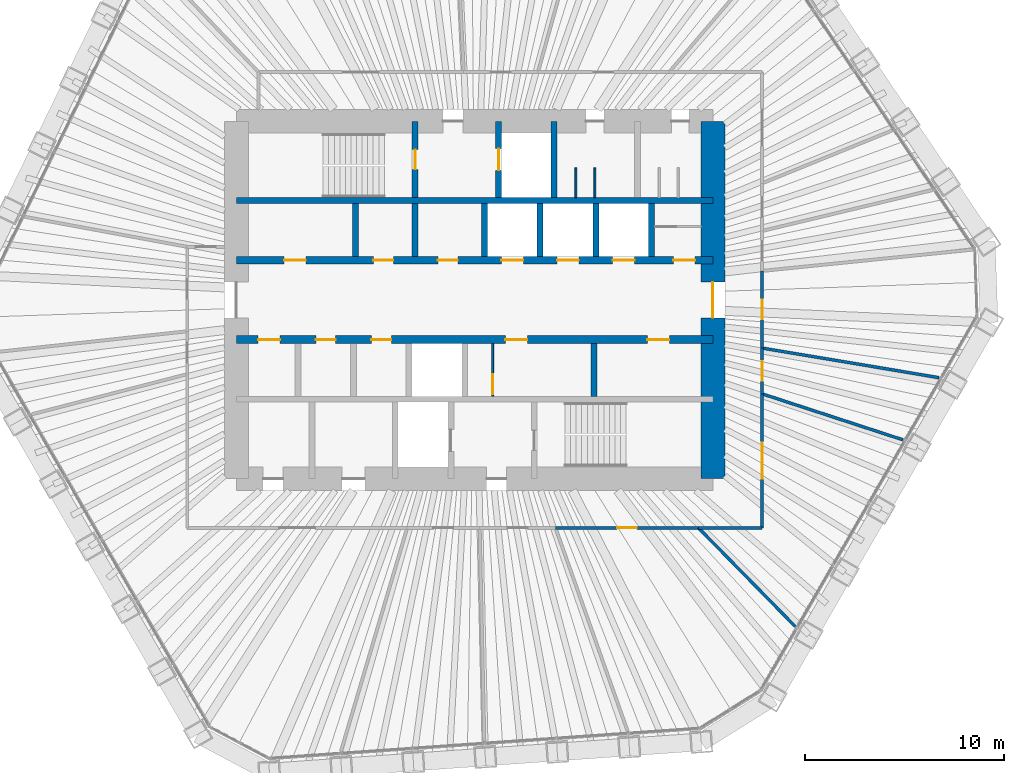
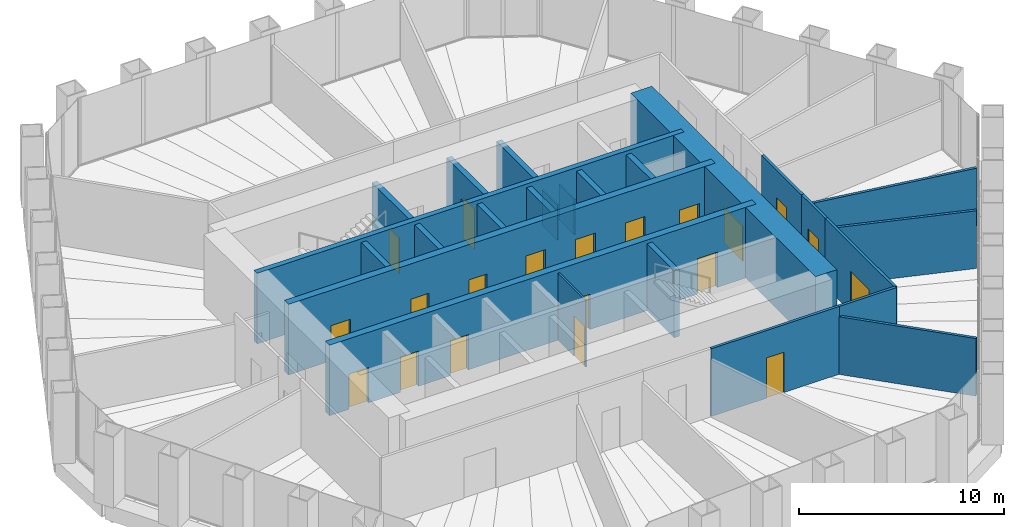
# One storey, part 11 of 13: 25 walls, 20 doors, 20 openings.
"""IFC4 building model written with IfcOpenShell, lengths in metres."""

from ifc_helpers import new_model, si_unit, direction, frame, frame_2d, origin, place, context, subcontext, project, spatial, rectangle, extrude, material, layer, layer_set, type_object, element, fill, save


model = new_model("IFC4")

# Units and contexts
model_context = context("Model", 3, precision=1e-05, world=origin(), true_north=direction((0.0, 1.0)))
body_context = subcontext(model_context, "Body", "Model", "MODEL_VIEW")
ifc_project = project(units=[si_unit("LENGTHUNIT", "METRE"), si_unit("AREAUNIT", "SQUARE_METRE"), si_unit("VOLUMEUNIT", "CUBIC_METRE"), si_unit("PLANEANGLEUNIT", "RADIAN"), si_unit("MASSUNIT", "GRAM", prefix="KILO")], contexts=[model_context])

# Site, building, storey
site_placement = place(None, origin())
site = spatial("IfcSite", under=ifc_project, at=site_placement, CompositionType="ELEMENT")
building_placement = place(site_placement, origin())
building = spatial("IfcBuilding", under=site, at=building_placement, Name="Qingtian Harvest Tower", CompositionType="ELEMENT")
storey_placement = place(building_placement, frame((0.0, 0.0, 205.60009765625)))
storey = spatial("IfcBuildingStorey", under=building, at=storey_placement, Name="L44", CompositionType="ELEMENT", Elevation=205.60009765625)

# Wall
ifc_material_1 = material(Name="Concrete fc' 70 MPa", Category="concrete")
ifc_layer_1 = layer(ifc_material_1, 0.300048828125)
ifc_layer_set_1 = layer_set([ifc_layer_1], Name="Core inner wall RC5 300")
wall_type_1 = type_object("IfcWallType", Name="Core inner wall RC5 300", PredefinedType="SHEAR", material=ifc_layer_set_1)
wall_1_placement = place(storey_placement, frame((-12.0, 5.0, 0.0), z_axis=(0.0, 0.0, 1.0), x_axis=(1.0, 0.0, 0.0)))
element("IfcWall", 1, at=wall_1_placement, inside=storey, type_object=wall_type_1, Name="Core wall IN5 L44", PredefinedType="SHEAR", context=body_context, shape_type="SweptSolid", body=[
    extrude(rectangle(XDim=24.0, YDim=0.300048828125, at=frame_2d((12.0, 0.0))), origin(), (0.0, 0.0, 1.0), 4.199951171875),
])

# Wall, openings, doors
ifc_material_2 = material(Name="Concrete fc' 70 MPa", Category="concrete")
ifc_layer_2 = layer(ifc_material_2, 0.39990234375)
ifc_layer_set_2 = layer_set([ifc_layer_2], Name="Core inner web RC6 400")
wall_type_2 = type_object("IfcWallType", Name="Core inner web RC6 400", PredefinedType="SHEAR", material=ifc_layer_set_2)
wall_2_placement = place(storey_placement, frame((-12.0, 2.0, 0.0), z_axis=(0.0, 0.0, 1.0), x_axis=(1.0, 0.0, 0.0)))
wall_2 = element("IfcWall", 2, at=wall_2_placement, inside=storey, type_object=wall_type_2, Name="Core wall IN2 L44", PredefinedType="SHEAR", context=body_context, shape_type="SweptSolid", body=[
    extrude(rectangle(XDim=24.0, YDim=0.39990234375, at=frame_2d((12.0, 0.0))), origin(), (0.0, 0.0, 1.0), 4.199951171875),
])
opening_1_placement = place(wall_2_placement, frame((2.39990234375, 0.0, 0.0)))
opening_1 = element("IfcOpeningElement", 3, at=opening_1_placement, cuts=wall_2, Name="Opening FD4", PredefinedType="OPENING", context=body_context, shape_type="SweptSolid", body=[
    extrude(rectangle(XDim=1.10009765625, YDim=2.10009765625, at=frame_2d((0.550048828125, 1.050048828125))), frame((0.0, 0.2099609375, 0.0), z_axis=(0.0, -1.0, 0.0), x_axis=(1.0, 0.0, 0.0)), (0.0, 0.0, 1.0), 0.419921875),
])
opening_2_placement = place(wall_2_placement, frame((22.0, 0.0, 0.0)))
opening_2 = element("IfcOpeningElement", 4, at=opening_2_placement, cuts=wall_2, Name="Opening FD4", PredefinedType="OPENING", context=body_context, shape_type="SweptSolid", body=[
    extrude(rectangle(XDim=1.10009765625, YDim=2.10009765625, at=frame_2d((0.550048828125, 1.050048828125))), frame((0.0, 0.2099609375, 0.0), z_axis=(0.0, -1.0, 0.0), x_axis=(1.0, 0.0, 0.0)), (0.0, 0.0, 1.0), 0.419921875),
])
opening_3_placement = place(wall_2_placement, frame((10.14990234375, 0.0, 0.0)))
opening_3 = element("IfcOpeningElement", 5, at=opening_3_placement, cuts=wall_2, Name="Opening FD1", PredefinedType="OPENING", context=body_context, shape_type="SweptSolid", body=[
    extrude(rectangle(XDim=1.0, YDim=2.10009765625, at=frame_2d((0.5, 1.050048828125))), frame((0.0, 0.2099609375, 0.0), z_axis=(0.0, -1.0, 0.0), x_axis=(1.0, 0.0, 0.0)), (0.0, 0.0, 1.0), 0.419921875),
])
opening_4_placement = place(wall_2_placement, frame((6.89990234375, 0.0, 0.0)))
opening_4 = element("IfcOpeningElement", 6, at=opening_4_placement, cuts=wall_2, Name="Opening FD1", PredefinedType="OPENING", context=body_context, shape_type="SweptSolid", body=[
    extrude(rectangle(XDim=1.0, YDim=2.10009765625, at=frame_2d((0.5, 1.050048828125))), frame((0.0, 0.2099609375, 0.0), z_axis=(0.0, -1.0, 0.0), x_axis=(1.0, 0.0, 0.0)), (0.0, 0.0, 1.0), 0.419921875),
])
opening_5_placement = place(wall_2_placement, frame((13.35009765625, 0.0, 0.0)))
opening_5 = element("IfcOpeningElement", 7, at=opening_5_placement, cuts=wall_2, Name="Opening LD1", PredefinedType="OPENING", context=body_context, shape_type="SweptSolid", body=[
    extrude(rectangle(XDim=1.10009765625, YDim=2.39990234375, at=frame_2d((0.550048828125, 1.199951171875))), frame((0.0, 0.2099609375, 0.0), z_axis=(0.0, -1.0, 0.0), x_axis=(1.0, 0.0, 0.0)), (0.0, 0.0, 1.0), 0.419921875),
])
opening_6_placement = place(wall_2_placement, frame((16.14990234375, 0.0, 0.0)))
opening_6 = element("IfcOpeningElement", 8, at=opening_6_placement, cuts=wall_2, Name="Opening LD1", PredefinedType="OPENING", context=body_context, shape_type="SweptSolid", body=[
    extrude(rectangle(XDim=1.10009765625, YDim=2.39990234375, at=frame_2d((0.550048828125, 1.199951171875))), frame((0.0, 0.2099609375, 0.0), z_axis=(0.0, -1.0, 0.0), x_axis=(1.0, 0.0, 0.0)), (0.0, 0.0, 1.0), 0.419921875),
])
opening_7_placement = place(wall_2_placement, frame((18.949951171875, 0.0, 0.0)))
opening_7 = element("IfcOpeningElement", 9, at=opening_7_placement, cuts=wall_2, Name="Opening LD1", PredefinedType="OPENING", context=body_context, shape_type="SweptSolid", body=[
    extrude(rectangle(XDim=1.10009765625, YDim=2.39990234375, at=frame_2d((0.550048828125, 1.199951171875))), frame((0.0, 0.2099609375, 0.0), z_axis=(0.0, -1.0, 0.0), x_axis=(1.0, 0.0, 0.0)), (0.0, 0.0, 1.0), 0.419921875),
])
ifc_material_3 = material(Name="Steel-faced door leaf", Category="steel")
door_type_1 = type_object("IfcDoorType", Name="Fire door FD1 single 1 HR", OperationType="SINGLE_SWING_LEFT", PredefinedType="DOOR", material=ifc_material_3)
door_1_placement = place(opening_3_placement, origin())
door_1 = element("IfcDoor", 10, at=door_1_placement, inside=storey, type_object=door_type_1, Name="STA door L44", OperationType="SINGLE_SWING_LEFT", OverallHeight=2.10009765625, OverallWidth=1.0, PredefinedType="DOOR", context=body_context, shape_type="SweptSolid", body=[
    extrude(rectangle(XDim=1.0, YDim=2.10009765625, at=frame_2d((0.5, 1.050048828125))), frame((0.0, 0.02490234375, 0.0), z_axis=(0.0, -1.0, 0.0), x_axis=(1.0, 0.0, 0.0)), (0.0, 0.0, 1.0), 0.050048828125),
])
fill(opening_3, door_1)
door_2_placement = place(opening_4_placement, origin())
door_2 = element("IfcDoor", 11, at=door_2_placement, inside=storey, type_object=door_type_1, Name="Staff WC door L44", OperationType="SINGLE_SWING_LEFT", OverallHeight=2.10009765625, OverallWidth=1.0, PredefinedType="DOOR", context=body_context, shape_type="SweptSolid", body=[
    extrude(rectangle(XDim=1.0, YDim=2.10009765625, at=frame_2d((0.5, 1.050048828125))), frame((0.0, 0.02490234375, 0.0), z_axis=(0.0, -1.0, 0.0), x_axis=(1.0, 0.0, 0.0)), (0.0, 0.0, 1.0), 0.050048828125),
])
fill(opening_4, door_2)
ifc_material_4 = material(Name="Steel-faced door leaf", Category="steel")
door_type_2 = type_object("IfcDoorType", Name="Fire door FD4 single 2 HR", OperationType="SINGLE_SWING_LEFT", PredefinedType="DOOR", material=ifc_material_4)
door_3_placement = place(opening_1_placement, origin())
door_3 = element("IfcDoor", 12, at=door_3_placement, inside=storey, type_object=door_type_2, Name="RA door L44", OperationType="SINGLE_SWING_LEFT", OverallHeight=2.10009765625, OverallWidth=1.10009765625, PredefinedType="DOOR", context=body_context, shape_type="SweptSolid", body=[
    extrude(rectangle(XDim=1.10009765625, YDim=2.10009765625, at=frame_2d((0.550048828125, 1.050048828125))), frame((0.0, 0.02490234375, 0.0), z_axis=(0.0, -1.0, 0.0), x_axis=(1.0, 0.0, 0.0)), (0.0, 0.0, 1.0), 0.050048828125),
])
fill(opening_1, door_3)
door_4_placement = place(opening_2_placement, origin())
door_4 = element("IfcDoor", 13, at=door_4_placement, inside=storey, type_object=door_type_2, Name="AHU door L44", OperationType="SINGLE_SWING_RIGHT", OverallHeight=2.10009765625, OverallWidth=1.10009765625, PredefinedType="DOOR", context=body_context, shape_type="SweptSolid", body=[
    extrude(rectangle(XDim=1.10009765625, YDim=2.10009765625, at=frame_2d((0.550048828125, 1.050048828125))), frame((0.0, 0.02490234375, 0.0), z_axis=(0.0, -1.0, 0.0), x_axis=(1.0, 0.0, 0.0)), (0.0, 0.0, 1.0), 0.050048828125),
])
fill(opening_2, door_4)
ifc_material_5 = material(Name="Stainless steel lift landing door", Category="steel")
door_type_3 = type_object("IfcDoorType", Name="Lift landing door LD1 1 HR", OperationType="DOUBLE_DOOR_SLIDING", PredefinedType="DOOR", material=ifc_material_5)
door_5_placement = place(opening_5_placement, origin())
door_5 = element("IfcDoor", 14, at=door_5_placement, inside=storey, type_object=door_type_3, Name="PLC1 landing door L44", OperationType="DOUBLE_DOOR_SLIDING", OverallHeight=2.39990234375, OverallWidth=1.10009765625, PredefinedType="DOOR", context=body_context, shape_type="SweptSolid", body=[
    extrude(rectangle(XDim=1.10009765625, YDim=2.39990234375, at=frame_2d((0.550048828125, 1.199951171875))), frame((0.0, 0.02490234375, 0.0), z_axis=(0.0, -1.0, 0.0), x_axis=(1.0, 0.0, 0.0)), (0.0, 0.0, 1.0), 0.050048828125),
])
fill(opening_5, door_5)
door_6_placement = place(opening_6_placement, origin())
door_6 = element("IfcDoor", 15, at=door_6_placement, inside=storey, type_object=door_type_3, Name="PLC2 landing door L44", OperationType="DOUBLE_DOOR_SLIDING", OverallHeight=2.39990234375, OverallWidth=1.10009765625, PredefinedType="DOOR", context=body_context, shape_type="SweptSolid", body=[
    extrude(rectangle(XDim=1.10009765625, YDim=2.39990234375, at=frame_2d((0.550048828125, 1.199951171875))), frame((0.0, 0.02490234375, 0.0), z_axis=(0.0, -1.0, 0.0), x_axis=(1.0, 0.0, 0.0)), (0.0, 0.0, 1.0), 0.050048828125),
])
fill(opening_6, door_6)
door_7_placement = place(opening_7_placement, origin())
door_7 = element("IfcDoor", 16, at=door_7_placement, inside=storey, type_object=door_type_3, Name="PLC3 landing door L44", OperationType="DOUBLE_DOOR_SLIDING", OverallHeight=2.39990234375, OverallWidth=1.10009765625, PredefinedType="DOOR", context=body_context, shape_type="SweptSolid", body=[
    extrude(rectangle(XDim=1.10009765625, YDim=2.39990234375, at=frame_2d((0.550048828125, 1.199951171875))), frame((0.0, 0.02490234375, 0.0), z_axis=(0.0, -1.0, 0.0), x_axis=(1.0, 0.0, 0.0)), (0.0, 0.0, 1.0), 0.050048828125),
])
fill(opening_7, door_7)

wall_3_placement = place(storey_placement, frame((-12.0, -2.0, 0.0), z_axis=(0.0, 0.0, 1.0), x_axis=(1.0, 0.0, 0.0)))
wall_3 = element("IfcWall", 17, at=wall_3_placement, inside=storey, type_object=wall_type_2, Name="Core wall IS2 L44", PredefinedType="SHEAR", context=body_context, shape_type="SweptSolid", body=[
    extrude(rectangle(XDim=24.0, YDim=0.39990234375, at=frame_2d((12.0, 0.0))), origin(), (0.0, 0.0, 1.0), 4.199951171875),
])
opening_8_placement = place(wall_3_placement, frame((1.10009765625, 0.0, 0.0)))
opening_8 = element("IfcOpeningElement", 18, at=opening_8_placement, cuts=wall_3, Name="Opening FD4", PredefinedType="OPENING", context=body_context, shape_type="SweptSolid", body=[
    extrude(rectangle(XDim=1.10009765625, YDim=2.10009765625, at=frame_2d((0.550048828125, 1.050048828125))), frame((0.0, 0.2099609375, 0.0), z_axis=(0.0, -1.0, 0.0), x_axis=(1.0, 0.0, 0.0)), (0.0, 0.0, 1.0), 0.419921875),
])
opening_9_placement = place(wall_3_placement, frame((13.550048828125, 0.0, 0.0)))
opening_9 = element("IfcOpeningElement", 19, at=opening_9_placement, cuts=wall_3, Name="Opening FD4", PredefinedType="OPENING", context=body_context, shape_type="SweptSolid", body=[
    extrude(rectangle(XDim=1.10009765625, YDim=2.10009765625, at=frame_2d((0.550048828125, 1.050048828125))), frame((0.0, 0.2099609375, 0.0), z_axis=(0.0, -1.0, 0.0), x_axis=(1.0, 0.0, 0.0)), (0.0, 0.0, 1.0), 0.419921875),
])
opening_10_placement = place(wall_3_placement, frame((20.699951171875, 0.0, 0.0)))
opening_10 = element("IfcOpeningElement", 20, at=opening_10_placement, cuts=wall_3, Name="Opening FD4", PredefinedType="OPENING", context=body_context, shape_type="SweptSolid", body=[
    extrude(rectangle(XDim=1.10009765625, YDim=2.10009765625, at=frame_2d((0.550048828125, 1.050048828125))), frame((0.0, 0.2099609375, 0.0), z_axis=(0.0, -1.0, 0.0), x_axis=(1.0, 0.0, 0.0)), (0.0, 0.0, 1.0), 0.419921875),
])
opening_11_placement = place(wall_3_placement, frame((4.0, 0.0, 0.0)))
opening_11 = element("IfcOpeningElement", 21, at=opening_11_placement, cuts=wall_3, Name="Opening FD1", PredefinedType="OPENING", context=body_context, shape_type="SweptSolid", body=[
    extrude(rectangle(XDim=1.0, YDim=2.10009765625, at=frame_2d((0.5, 1.050048828125))), frame((0.0, 0.2099609375, 0.0), z_axis=(0.0, -1.0, 0.0), x_axis=(1.0, 0.0, 0.0)), (0.0, 0.0, 1.0), 0.419921875),
])
opening_12_placement = place(wall_3_placement, frame((6.800048828125, 0.0, 0.0)))
opening_12 = element("IfcOpeningElement", 22, at=opening_12_placement, cuts=wall_3, Name="Opening FD1", PredefinedType="OPENING", context=body_context, shape_type="SweptSolid", body=[
    extrude(rectangle(XDim=1.0, YDim=2.10009765625, at=frame_2d((0.5, 1.050048828125))), frame((0.0, 0.2099609375, 0.0), z_axis=(0.0, -1.0, 0.0), x_axis=(1.0, 0.0, 0.0)), (0.0, 0.0, 1.0), 0.419921875),
])
door_8_placement = place(opening_11_placement, origin())
door_8 = element("IfcDoor", 23, at=door_8_placement, inside=storey, type_object=door_type_1, Name="Staff WC door L44", OperationType="SINGLE_SWING_RIGHT", OverallHeight=2.10009765625, OverallWidth=1.0, PredefinedType="DOOR", context=body_context, shape_type="SweptSolid", body=[
    extrude(rectangle(XDim=1.0, YDim=2.10009765625, at=frame_2d((0.5, 1.050048828125))), frame((0.0, 0.02490234375, 0.0), z_axis=(0.0, -1.0, 0.0), x_axis=(1.0, 0.0, 0.0)), (0.0, 0.0, 1.0), 0.050048828125),
])
fill(opening_11, door_8)
door_9_placement = place(opening_12_placement, origin())
door_9 = element("IfcDoor", 24, at=door_9_placement, inside=storey, type_object=door_type_1, Name="Tea point door L44", OperationType="SINGLE_SWING_RIGHT", OverallHeight=2.10009765625, OverallWidth=1.0, PredefinedType="DOOR", context=body_context, shape_type="SweptSolid", body=[
    extrude(rectangle(XDim=1.0, YDim=2.10009765625, at=frame_2d((0.5, 1.050048828125))), frame((0.0, 0.02490234375, 0.0), z_axis=(0.0, -1.0, 0.0), x_axis=(1.0, 0.0, 0.0)), (0.0, 0.0, 1.0), 0.050048828125),
])
fill(opening_12, door_9)
door_10_placement = place(opening_8_placement, origin())
door_10 = element("IfcDoor", 25, at=door_10_placement, inside=storey, type_object=door_type_2, Name="RB door L44", OperationType="SINGLE_SWING_RIGHT", OverallHeight=2.10009765625, OverallWidth=1.10009765625, PredefinedType="DOOR", context=body_context, shape_type="SweptSolid", body=[
    extrude(rectangle(XDim=1.10009765625, YDim=2.10009765625, at=frame_2d((0.550048828125, 1.050048828125))), frame((0.0, 0.02490234375, 0.0), z_axis=(0.0, -1.0, 0.0), x_axis=(1.0, 0.0, 0.0)), (0.0, 0.0, 1.0), 0.050048828125),
])
fill(opening_8, door_10)
door_11_placement = place(opening_9_placement, origin())
door_11 = element("IfcDoor", 26, at=door_11_placement, inside=storey, type_object=door_type_2, Name="ELEC door L44", OperationType="SINGLE_SWING_LEFT", OverallHeight=2.10009765625, OverallWidth=1.10009765625, PredefinedType="DOOR", context=body_context, shape_type="SweptSolid", body=[
    extrude(rectangle(XDim=1.10009765625, YDim=2.10009765625, at=frame_2d((0.550048828125, 1.050048828125))), frame((0.0, 0.02490234375, 0.0), z_axis=(0.0, -1.0, 0.0), x_axis=(1.0, 0.0, 0.0)), (0.0, 0.0, 1.0), 0.050048828125),
])
fill(opening_9, door_11)
door_12_placement = place(opening_10_placement, origin())
door_12 = element("IfcDoor", 27, at=door_12_placement, inside=storey, type_object=door_type_2, Name="DUCT door L44", OperationType="SINGLE_SWING_LEFT", OverallHeight=2.10009765625, OverallWidth=1.10009765625, PredefinedType="DOOR", context=body_context, shape_type="SweptSolid", body=[
    extrude(rectangle(XDim=1.10009765625, YDim=2.10009765625, at=frame_2d((0.550048828125, 1.050048828125))), frame((0.0, 0.02490234375, 0.0), z_axis=(0.0, -1.0, 0.0), x_axis=(1.0, 0.0, 0.0)), (0.0, 0.0, 1.0), 0.050048828125),
])
fill(opening_10, door_12)

# Wall, opening, door
ifc_material_6 = material(Name="Precast concrete shaft panel", Category="concrete")
ifc_layer_3 = layer(ifc_material_6, 0.300048828125)
ifc_layer_set_3 = layer_set([ifc_layer_3], Name="Core shaft partition SW1 300")
wall_type_3 = type_object("IfcWallType", Name="Core shaft partition SW1 300", PredefinedType="PARTITIONING", material=ifc_layer_set_3)
wall_4_placement = place(storey_placement, frame((-3.0, 5.14990234375, 0.0), z_axis=(0.0, 0.0, 1.0), x_axis=(0.0, 1.0, 0.0)))
wall_4 = element("IfcWall", 28, at=wall_4_placement, inside=storey, type_object=wall_type_3, Name="Core shaft partition XN1 L44", PredefinedType="PARTITIONING", context=body_context, shape_type="SweptSolid", body=[
    extrude(rectangle(XDim=3.85009765625, YDim=0.300048828125, at=frame_2d((1.925048828125, 0.0))), origin(), (0.0, 0.0, 1.0), 3.97998046875),
])
opening_13_placement = place(wall_4_placement, frame((1.425048828125, 0.0, 0.0)))
opening_13 = element("IfcOpeningElement", 29, at=opening_13_placement, cuts=wall_4, Name="Opening FD1", PredefinedType="OPENING", context=body_context, shape_type="SweptSolid", body=[
    extrude(rectangle(XDim=1.0, YDim=2.10009765625, at=frame_2d((0.5, 1.050048828125))), frame((0.0, 0.159912109375, 0.0), z_axis=(0.0, -1.0, 0.0), x_axis=(1.0, 0.0, 0.0)), (0.0, 0.0, 1.0), 0.320068359375),
])
door_13_placement = place(opening_13_placement, origin())
door_13 = element("IfcDoor", 30, at=door_13_placement, inside=storey, type_object=door_type_1, Name="S1 door L44", OperationType="SINGLE_SWING_RIGHT", OverallHeight=2.10009765625, OverallWidth=1.0, PredefinedType="DOOR", context=body_context, shape_type="SweptSolid", body=[
    extrude(rectangle(XDim=1.0, YDim=2.10009765625, at=frame_2d((0.5, 1.050048828125))), frame((0.0, 0.02490234375, 0.0), z_axis=(0.0, -1.0, 0.0), x_axis=(1.0, 0.0, 0.0)), (0.0, 0.0, 1.0), 0.050048828125),
])
fill(opening_13, door_13)

wall_5_placement = place(storey_placement, frame((1.199951171875, 5.14990234375, 0.0), z_axis=(0.0, 0.0, 1.0), x_axis=(0.0, 1.0, 0.0)))
wall_5 = element("IfcWall", 31, at=wall_5_placement, inside=storey, type_object=wall_type_3, Name="Core shaft partition XN2 L44", PredefinedType="PARTITIONING", context=body_context, shape_type="SweptSolid", body=[
    extrude(rectangle(XDim=3.85009765625, YDim=0.300048828125, at=frame_2d((1.925048828125, 0.0))), origin(), (0.0, 0.0, 1.0), 3.97998046875),
])
opening_14_placement = place(wall_5_placement, frame((1.375, 0.0, 0.0)))
opening_14 = element("IfcOpeningElement", 32, at=opening_14_placement, cuts=wall_5, Name="Opening LD1", PredefinedType="OPENING", context=body_context, shape_type="SweptSolid", body=[
    extrude(rectangle(XDim=1.10009765625, YDim=2.39990234375, at=frame_2d((0.550048828125, 1.199951171875))), frame((0.0, 0.159912109375, 0.0), z_axis=(0.0, -1.0, 0.0), x_axis=(1.0, 0.0, 0.0)), (0.0, 0.0, 1.0), 0.320068359375),
])
door_14_placement = place(opening_14_placement, origin())
door_14 = element("IfcDoor", 33, at=door_14_placement, inside=storey, type_object=door_type_3, Name="FL1 landing door L44", OperationType="DOUBLE_DOOR_SLIDING", OverallHeight=2.39990234375, OverallWidth=1.10009765625, PredefinedType="DOOR", context=body_context, shape_type="SweptSolid", body=[
    extrude(rectangle(XDim=1.10009765625, YDim=2.39990234375, at=frame_2d((0.550048828125, 1.199951171875))), frame((0.0, 0.02490234375, 0.0), z_axis=(0.0, -1.0, 0.0), x_axis=(1.0, 0.0, 0.0)), (0.0, 0.0, 1.0), 0.050048828125),
])
fill(opening_14, door_14)

# Walls
wall_6_placement = place(storey_placement, frame((4.0, 5.14990234375, 0.0), z_axis=(0.0, 0.0, 1.0), x_axis=(0.0, 1.0, 0.0)))
element("IfcWall", 34, at=wall_6_placement, inside=storey, type_object=wall_type_3, Name="Core shaft partition XN3 L44", PredefinedType="PARTITIONING", context=body_context, shape_type="SweptSolid", body=[
    extrude(rectangle(XDim=3.85009765625, YDim=0.300048828125, at=frame_2d((1.925048828125, 0.0))), origin(), (0.0, 0.0, 1.0), 3.97998046875),
])
for number, where, z_axis, x_axis, name in (
    (35, (-6.0, 2.199951171875, 0.0), (0.0, 0.0, 1.0), (0.0, 1.0, 0.0), "Core shaft partition XA1 L44"),
    (36, (-3.0, 2.199951171875, 0.0), (0.0, 0.0, 1.0), (0.0, 1.0, 0.0), "Core shaft partition XA2 L44"),
    (37, (0.5, 2.199951171875, 0.0), (0.0, 0.0, 1.0), (0.0, 1.0, 0.0), "Core shaft partition XA3 L44"),
    (38, (3.300048828125, 2.199951171875, 0.0), (0.0, 0.0, 1.0), (0.0, 1.0, 0.0), "Core shaft partition XA4 L44"),
    (39, (6.10009765625, 2.199951171875, 0.0), (0.0, 0.0, 1.0), (0.0, 1.0, 0.0), "Core shaft partition XA5 L44"),
    (40, (8.89990234375, 2.199951171875, 0.0), (0.0, 0.0, 1.0), (0.0, 1.0, 0.0), "Core shaft partition XA6 L44"),
    (41, (6.0, -4.85009765625, 0.0), (0.0, 0.0, 1.0), (0.0, 1.0, 0.0), "Core shaft partition XB5 L44"),
):
    element("IfcWall", number, at=place(storey_placement, frame(where, z_axis=z_axis, x_axis=x_axis)), inside=storey, type_object=wall_type_3, Name=name, PredefinedType="PARTITIONING", context=body_context, shape_type="SweptSolid", body=[
        extrude(rectangle(XDim=2.650146484375, YDim=0.300048828125, at=frame_2d((1.3251953125, 0.0))), origin(), (0.0, 0.0, 1.0), 3.97998046875),
    ])

# Wall, opening, door
ifc_material_7 = material(Name="Concrete fc' 70 MPa", Category="concrete")
ifc_layer_4 = layer(ifc_material_7, 1.199951171875)
ifc_layer_set_4 = layer_set([ifc_layer_4], Name="Core wall RC2 1200")
wall_type_4 = type_object("IfcWallType", Name="Core wall RC2 1200", PredefinedType="SHEAR", material=ifc_layer_set_4)
wall_7_placement = place(storey_placement, frame((12.0, -9.0, 0.0), z_axis=(0.0, 0.0, 1.0), x_axis=(0.0, 1.0, 0.0)))
wall_7 = element("IfcWall", 42, at=wall_7_placement, inside=storey, type_object=wall_type_4, Name="Core wall CE L44", PredefinedType="SHEAR", context=body_context, shape_type="SweptSolid", body=[
    extrude(rectangle(XDim=18.0, YDim=1.199951171875, at=frame_2d((9.0, 0.0))), origin(), (0.0, 0.0, 1.0), 4.199951171875),
])
opening_15_placement = place(wall_7_placement, frame((8.10009765625, 0.0, 0.0)))
opening_15 = element("IfcOpeningElement", 43, at=opening_15_placement, cuts=wall_7, Name="Opening FD2", PredefinedType="OPENING", context=body_context, shape_type="SweptSolid", body=[
    extrude(rectangle(XDim=1.800048828125, YDim=2.10009765625, at=frame_2d((0.89990234375, 1.050048828125))), frame((0.0, 0.60986328125, 0.0), z_axis=(0.0, -1.0, 0.0), x_axis=(1.0, 0.0, 0.0)), (0.0, 0.0, 1.0), 1.219970703125),
])
ifc_material_8 = material(Name="Steel-faced door leaf", Category="steel")
door_type_4 = type_object("IfcDoorType", Name="Fire door FD2 double 1 HR", OperationType="DOUBLE_DOOR_DOUBLE_SWING", PredefinedType="DOOR", material=ifc_material_8)
door_15_placement = place(opening_15_placement, origin())
door_15 = element("IfcDoor", 44, at=door_15_placement, inside=storey, type_object=door_type_4, Name="LOBBY-E door L44", OperationType="DOUBLE_DOOR_DOUBLE_SWING", OverallHeight=2.10009765625, OverallWidth=1.800048828125, PredefinedType="DOOR", context=body_context, shape_type="SweptSolid", body=[
    extrude(rectangle(XDim=1.800048828125, YDim=2.10009765625, at=frame_2d((0.89990234375, 1.050048828125))), frame((0.0, 0.02490234375, 0.0), z_axis=(0.0, -1.0, 0.0), x_axis=(1.0, 0.0, 0.0)), (0.0, 0.0, 1.0), 0.050048828125),
])
fill(opening_15, door_15)

ifc_material_9 = material(Name="Gypsum board on steel studs", Category="steel")
ifc_layer_5 = layer(ifc_material_9, 0.14990234375)
ifc_layer_set_5 = layer_set([ifc_layer_5], Name="Partition PT1 150")
wall_type_5 = type_object("IfcWallType", Name="Partition PT1 150", PredefinedType="PARTITIONING", material=ifc_layer_set_5)
wall_8_placement = place(storey_placement, frame((14.47509765625, 1.462646484375, 0.0), z_axis=(0.0, 0.0, 1.0), x_axis=(0.0, -1.0, 0.0)))
wall_8 = element("IfcWall", 45, at=wall_8_placement, inside=storey, type_object=wall_type_5, Name="Private office wall L44", PredefinedType="PARTITIONING", context=body_context, shape_type="SweptSolid", body=[
    extrude(rectangle(XDim=3.884521484375, YDim=0.14990234375, at=frame_2d((1.9423828125, 0.0))), origin(), (0.0, 0.0, 1.0), 4.02978515625),
])
opening_16_placement = place(wall_8_placement, frame((1.4423828125, 0.0, 0.0)))
opening_16 = element("IfcOpeningElement", 46, at=opening_16_placement, cuts=wall_8, Name="Opening D2", PredefinedType="OPENING", context=body_context, shape_type="SweptSolid", body=[
    extrude(rectangle(XDim=1.0, YDim=2.39990234375, at=frame_2d((0.5, 1.199951171875))), frame((0.0, 0.0849609375, 0.0), z_axis=(0.0, -1.0, 0.0), x_axis=(1.0, 0.0, 0.0)), (0.0, 0.0, 1.0), 0.169921875),
])
ifc_material_10 = material(Name="Laminated timber door leaf", Category="wood")
door_type_5 = type_object("IfcDoorType", Name="Room door D2 single", OperationType="SINGLE_SWING_LEFT", PredefinedType="DOOR", material=ifc_material_10)
door_16_placement = place(opening_16_placement, origin())
door_16 = element("IfcDoor", 47, at=door_16_placement, inside=storey, type_object=door_type_5, Name="Private office door L44", OperationType="SINGLE_SWING_LEFT", OverallHeight=2.39990234375, OverallWidth=1.0, PredefinedType="DOOR", context=body_context, shape_type="SweptSolid", body=[
    extrude(rectangle(XDim=1.0, YDim=2.39990234375, at=frame_2d((0.5, 1.199951171875))), frame((0.0, 0.02490234375, 0.0), z_axis=(0.0, -1.0, 0.0), x_axis=(1.0, 0.0, 0.0)), (0.0, 0.0, 1.0), 0.050048828125),
])
fill(opening_16, door_16)

# Wall
wall_9_placement = place(storey_placement, frame((23.383056640625, -3.912109375, 0.0), z_axis=(0.0, 0.0, 1.0), x_axis=(-0.986293651891, 0.164999491631, 0.0)))
element("IfcWall", 48, at=wall_9_placement, inside=storey, type_object=wall_type_5, Name="Private office wall L44", PredefinedType="PARTITIONING", context=body_context, shape_type="SweptSolid", body=[
    extrude(rectangle(XDim=9.03173828125, YDim=0.14990234375, at=frame_2d((4.515869140625, 0.0))), origin(), (0.0, 0.0, 1.0), 3.429931640625),
])

# Wall, opening, door
wall_10_placement = place(storey_placement, frame((14.47509765625, -2.421875, 0.0), z_axis=(0.0, 0.0, 1.0), x_axis=(0.0, -1.0, 0.0)))
wall_10 = element("IfcWall", 49, at=wall_10_placement, inside=storey, type_object=wall_type_5, Name="Private office wall L44", PredefinedType="PARTITIONING", context=body_context, shape_type="SweptSolid", body=[
    extrude(rectangle(XDim=2.305419921875, YDim=0.14990234375, at=frame_2d((1.15283203125, 0.0))), origin(), (0.0, 0.0, 1.0), 4.02978515625),
])
opening_17_placement = place(wall_10_placement, frame((0.65283203125, 0.0, 0.0)))
opening_17 = element("IfcOpeningElement", 50, at=opening_17_placement, cuts=wall_10, Name="Opening D2", PredefinedType="OPENING", context=body_context, shape_type="SweptSolid", body=[
    extrude(rectangle(XDim=1.0, YDim=2.39990234375, at=frame_2d((0.5, 1.199951171875))), frame((0.0, 0.0849609375, 0.0), z_axis=(0.0, -1.0, 0.0), x_axis=(1.0, 0.0, 0.0)), (0.0, 0.0, 1.0), 0.169921875),
])
door_17_placement = place(opening_17_placement, origin())
door_17 = element("IfcDoor", 51, at=door_17_placement, inside=storey, type_object=door_type_5, Name="Private office door L44", OperationType="SINGLE_SWING_RIGHT", OverallHeight=2.39990234375, OverallWidth=1.0, PredefinedType="DOOR", context=body_context, shape_type="SweptSolid", body=[
    extrude(rectangle(XDim=1.0, YDim=2.39990234375, at=frame_2d((0.5, 1.199951171875))), frame((0.0, 0.02490234375, 0.0), z_axis=(0.0, -1.0, 0.0), x_axis=(1.0, 0.0, 0.0)), (0.0, 0.0, 1.0), 0.050048828125),
])
fill(opening_17, door_17)

# Wall
wall_11_placement = place(storey_placement, frame((21.56982421875, -7.04443359375, 0.0), z_axis=(0.0, 0.0, 1.0), x_axis=(-0.950585953502, 0.310461503258, 0.0)))
element("IfcWall", 52, at=wall_11_placement, inside=storey, type_object=wall_type_5, Name="Open plan office wall L44", PredefinedType="PARTITIONING", context=body_context, shape_type="SweptSolid", body=[
    extrude(rectangle(XDim=7.463623046875, YDim=0.14990234375, at=frame_2d((3.73193359375, 0.0))), origin(), (0.0, 0.0, 1.0), 3.429931640625),
])

# Wall, opening, door
wall_12_placement = place(storey_placement, frame((14.47509765625, -4.727294921875, 0.0), z_axis=(0.0, 0.0, 1.0), x_axis=(0.0, -1.0, 0.0)))
wall_12 = element("IfcWall", 53, at=wall_12_placement, inside=storey, type_object=wall_type_5, Name="Open plan office wall L44", PredefinedType="PARTITIONING", context=body_context, shape_type="SweptSolid", body=[
    extrude(rectangle(XDim=6.747802734375, YDim=0.14990234375, at=frame_2d((3.3740234375, 0.0))), origin(), (0.0, 0.0, 1.0), 4.02978515625),
])
opening_18_placement = place(wall_12_placement, frame((2.473876953125, 0.0, 0.0)))
opening_18 = element("IfcOpeningElement", 54, at=opening_18_placement, cuts=wall_12, Name="Opening D3", PredefinedType="OPENING", context=body_context, shape_type="SweptSolid", body=[
    extrude(rectangle(XDim=1.800048828125, YDim=2.39990234375, at=frame_2d((0.89990234375, 1.199951171875))), frame((0.0, 0.0849609375, 0.0), z_axis=(0.0, -1.0, 0.0), x_axis=(1.0, 0.0, 0.0)), (0.0, 0.0, 1.0), 0.169921875),
])
ifc_material_11 = material(Name="Laminated timber door leaf", Category="wood")
door_type_6 = type_object("IfcDoorType", Name="Room door D3 double", OperationType="DOUBLE_DOOR_DOUBLE_SWING", PredefinedType="DOOR", material=ifc_material_11)
door_18_placement = place(opening_18_placement, origin())
door_18 = element("IfcDoor", 55, at=door_18_placement, inside=storey, type_object=door_type_6, Name="Open plan office door L44", OperationType="DOUBLE_DOOR_DOUBLE_SWING", OverallHeight=2.39990234375, OverallWidth=1.800048828125, PredefinedType="DOOR", context=body_context, shape_type="SweptSolid", body=[
    extrude(rectangle(XDim=1.800048828125, YDim=2.39990234375, at=frame_2d((0.89990234375, 1.199951171875))), frame((0.0, 0.02490234375, 0.0), z_axis=(0.0, -1.0, 0.0), x_axis=(1.0, 0.0, 0.0)), (0.0, 0.0, 1.0), 0.050048828125),
])
fill(opening_18, door_18)

# Walls
wall_13_placement = place(storey_placement, frame((14.47509765625, -11.47509765625, 0.0), z_axis=(0.0, 0.0, 1.0), x_axis=(-1.0, 0.0, 0.0)))
element("IfcWall", 56, at=wall_13_placement, inside=storey, type_object=wall_type_5, Name="Open plan office wall L44", PredefinedType="PARTITIONING", context=body_context, shape_type="SweptSolid", body=[
    extrude(rectangle(XDim=3.20947265625, YDim=0.14990234375, at=frame_2d((1.604736328125, 0.0))), origin(), (0.0, 0.0, 1.0), 4.02978515625),
])
wall_14_placement = place(storey_placement, frame((16.14453125, -16.4443359375, 0.0), z_axis=(0.0, 0.0, 1.0), x_axis=(-0.700591378209, 0.71356269576, 0.0)))
element("IfcWall", 57, at=wall_14_placement, inside=storey, type_object=wall_type_5, Name="Print room wall L44", PredefinedType="PARTITIONING", context=body_context, shape_type="SweptSolid", body=[
    extrude(rectangle(XDim=6.9638671875, YDim=0.14990234375, at=frame_2d((3.48193359375, 0.0))), origin(), (0.0, 0.0, 1.0), 3.429931640625),
])

# Wall, opening, door
wall_15_placement = place(storey_placement, frame((11.265625, -11.47509765625, 0.0), z_axis=(0.0, 0.0, 1.0), x_axis=(-1.0, 0.0, 0.0)))
wall_15 = element("IfcWall", 58, at=wall_15_placement, inside=storey, type_object=wall_type_5, Name="Print room wall L44", PredefinedType="PARTITIONING", context=body_context, shape_type="SweptSolid", body=[
    extrude(rectangle(XDim=7.196044921875, YDim=0.14990234375, at=frame_2d((3.59814453125, 0.0))), origin(), (0.0, 0.0, 1.0), 4.02978515625),
])
opening_19_placement = place(wall_15_placement, frame((3.09814453125, 0.0, 0.0)))
opening_19 = element("IfcOpeningElement", 59, at=opening_19_placement, cuts=wall_15, Name="Opening D2", PredefinedType="OPENING", context=body_context, shape_type="SweptSolid", body=[
    extrude(rectangle(XDim=1.0, YDim=2.39990234375, at=frame_2d((0.5, 1.199951171875))), frame((0.0, 0.0849609375, 0.0), z_axis=(0.0, -1.0, 0.0), x_axis=(1.0, 0.0, 0.0)), (0.0, 0.0, 1.0), 0.169921875),
])
door_19_placement = place(opening_19_placement, origin())
door_19 = element("IfcDoor", 60, at=door_19_placement, inside=storey, type_object=door_type_5, Name="Print room door L44", OperationType="SINGLE_SWING_RIGHT", OverallHeight=2.39990234375, OverallWidth=1.0, PredefinedType="DOOR", context=body_context, shape_type="SweptSolid", body=[
    extrude(rectangle(XDim=1.0, YDim=2.39990234375, at=frame_2d((0.5, 1.199951171875))), frame((0.0, 0.02490234375, 0.0), z_axis=(0.0, -1.0, 0.0), x_axis=(1.0, 0.0, 0.0)), (0.0, 0.0, 1.0), 0.050048828125),
])
fill(opening_19, door_19)

ifc_material_12 = material(Name="Concrete block partition", Category="concrete")
ifc_layer_6 = layer(ifc_material_12, 0.10009765625)
ifc_layer_set_6 = layer_set([ifc_layer_6], Name="Store partition PT3 100")
wall_type_6 = type_object("IfcWallType", Name="Store partition PT3 100", PredefinedType="PARTITIONING", material=ifc_layer_set_6)
wall_16_placement = place(storey_placement, frame((0.89990234375, -4.85009765625, 0.0), z_axis=(0.0, 0.0, 1.0), x_axis=(0.0, 1.0, 0.0)))
wall_16 = element("IfcWall", 61, at=wall_16_placement, inside=storey, type_object=wall_type_6, Name="Comms room wall L44", PredefinedType="PARTITIONING", context=body_context, shape_type="SweptSolid", body=[
    extrude(rectangle(XDim=2.650146484375, YDim=0.10009765625, at=frame_2d((1.3251953125, 0.0))), origin(), (0.0, 0.0, 1.0), 3.97998046875),
])
opening_20_placement = place(wall_16_placement, frame((0.10009765625, 0.0, 0.0)))
opening_20 = element("IfcOpeningElement", 62, at=opening_20_placement, cuts=wall_16, Name="Opening D2", PredefinedType="OPENING", context=body_context, shape_type="SweptSolid", body=[
    extrude(rectangle(XDim=1.0, YDim=2.39990234375, at=frame_2d((0.5, 1.199951171875))), frame((0.0, 0.06005859375, 0.0), z_axis=(0.0, -1.0, 0.0), x_axis=(1.0, 0.0, 0.0)), (0.0, 0.0, 1.0), 0.1201171875),
])
door_20_placement = place(opening_20_placement, origin())
door_20 = element("IfcDoor", 63, at=door_20_placement, inside=storey, type_object=door_type_5, Name="Comms room door L44", OperationType="SINGLE_SWING_LEFT", OverallHeight=2.39990234375, OverallWidth=1.0, PredefinedType="DOOR", context=body_context, shape_type="SweptSolid", body=[
    extrude(rectangle(XDim=1.0, YDim=2.39990234375, at=frame_2d((0.5, 1.199951171875))), frame((0.0, 0.02490234375, 0.0), z_axis=(0.0, -1.0, 0.0), x_axis=(1.0, 0.0, 0.0)), (0.0, 0.0, 1.0), 0.050048828125),
])
fill(opening_20, door_20)

# Walls
ifc_material_13 = material(Name="Compact laminate cubicle partition", Category="plastic")
ifc_layer_7 = layer(ifc_material_13, 0.10009765625)
ifc_layer_set_7 = layer_set([ifc_layer_7], Name="WC cubicle partition WP1 100")
wall_type_7 = type_object("IfcWallType", Name="WC cubicle partition WP1 100", PredefinedType="PARTITIONING", material=ifc_layer_set_7)
for number, where, z_axis, x_axis, name in (
    (64, (5.10009765625, 5.14990234375, 0.0), (0.0, 0.0, 1.0), (0.0, 1.0, 0.0), "WC cubicle partition WCM L44"),
    (65, (6.050048828125, 5.14990234375, 0.0), (0.0, 0.0, 1.0), (0.0, 1.0, 0.0), "WC cubicle partition WCM L44"),
):
    element("IfcWall", number, at=place(storey_placement, frame(where, z_axis=z_axis, x_axis=x_axis)), inside=storey, type_object=wall_type_7, Name=name, PredefinedType="PARTITIONING", context=body_context, shape_type="SweptSolid", body=[
        extrude(rectangle(XDim=1.5, YDim=0.10009765625, at=frame_2d((0.75, 0.0))), origin(), (0.0, 0.0, 1.0), 2.099853515625),
    ])

save(model, "model.ifc")
